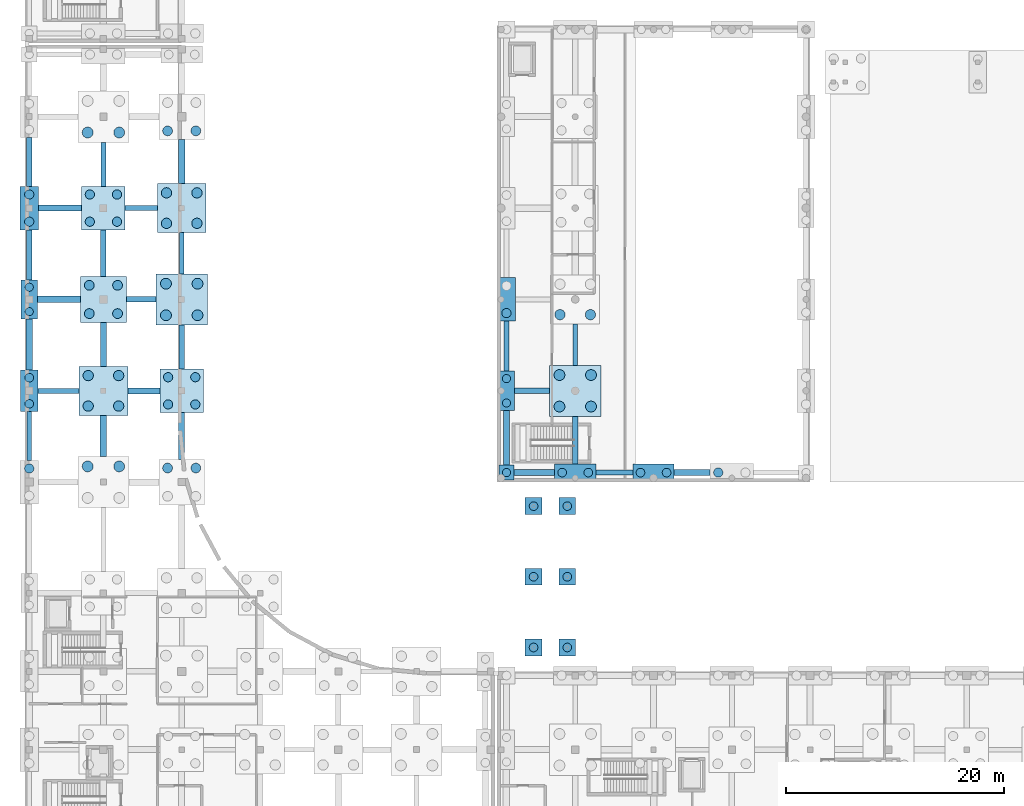
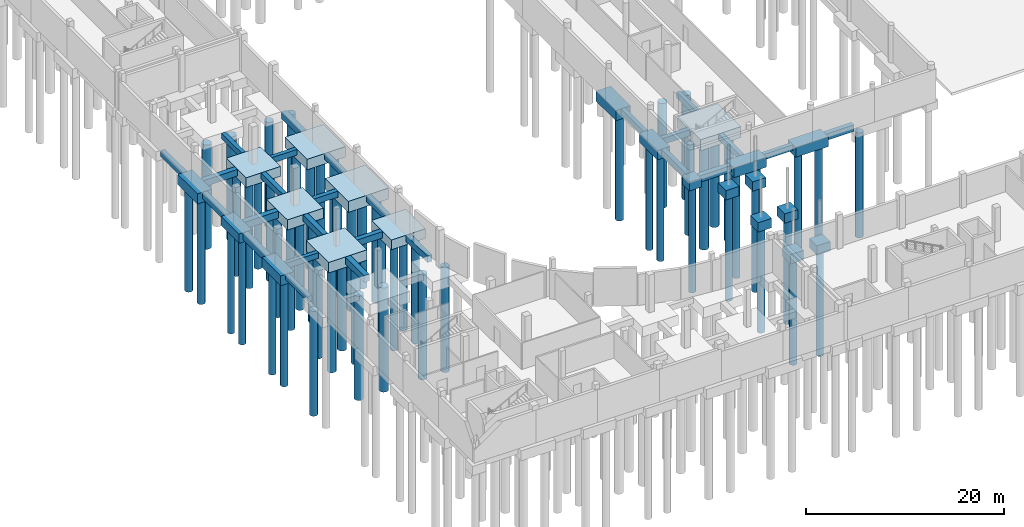
# One storey, part 3 of 41: 60 piles, 47 footings.
"""IFC4 building model written with IfcOpenShell, lengths in metres."""

from ifc_helpers import new_model, si_unit, direction, frame, origin, origin_2d, place, context, subcontext, project, spatial, rectangle, circle, extrude, material, material_profile, profile_set, type_object, element, save


model = new_model("IFC4")

# Units and contexts
model_context = context("Model", 3, precision=1e-05, world=origin(), true_north=direction((0.0, 1.0)))
body_context = subcontext(model_context, "Body", "Model", "MODEL_VIEW")
ifc_project = project(units=[si_unit("LENGTHUNIT", "METRE"), si_unit("AREAUNIT", "SQUARE_METRE"), si_unit("VOLUMEUNIT", "CUBIC_METRE"), si_unit("PLANEANGLEUNIT", "RADIAN"), si_unit("MASSUNIT", "GRAM", prefix="KILO")], contexts=[model_context])

# Site, building, storey
site_placement = place(None, origin())
site = spatial("IfcSite", under=ifc_project, at=site_placement, CompositionType="ELEMENT")
building_placement = place(site_placement, origin())
building = spatial("IfcBuilding", under=site, at=building_placement, Name="Vardoun Plaza Health Centre", CompositionType="ELEMENT")
storey_placement = place(building_placement, frame((0.0, 0.0, -4.5)))
storey = spatial("IfcBuildingStorey", under=building, at=storey_placement, Name="B1", CompositionType="ELEMENT", Elevation=-4.5)

# Footings
ifc_material_1 = material(Name="Concrete C40/50", Category="concrete")
footing_type_1 = type_object("IfcFootingType", Name="PC-01", PredefinedType="PILE_CAP", material=ifc_material_1)
footing_1_placement = place(storey_placement, frame((48.760009765625, 37.179931640625, -1.52001953125), z_axis=(0.0, 0.0, 1.0), x_axis=(1.0, 0.0, 0.0)))
element("IfcFooting", 1, at=footing_1_placement, inside=storey, type_object=footing_type_1, Name="V1 Pile Cap PC-V1-01", PredefinedType="PILE_CAP", context=body_context, shape_type="SweptSolid", body=[
    extrude(rectangle(XDim=1.39990234375, YDim=1.39990234375, at=origin_2d()), origin(), (0.0, 0.0, 1.0), 1.10009765625),
])
ifc_material_2 = material(Name="Concrete C40/50", Category="concrete")
footing_type_2 = type_object("IfcFootingType", Name="PC-02", PredefinedType="PILE_CAP", material=ifc_material_2)
for number, where, z_axis, x_axis, name in (
    (2, (51.25, 21.10009765625, -1.570068359375), (0.0, 0.0, 1.0), (1.0, 0.0, 0.0), "Bridge BR-06 Pier Pile Cap W.1"),
    (3, (51.25, 27.60009765625, -1.570068359375), (0.0, 0.0, 1.0), (1.0, 0.0, 0.0), "Bridge BR-06 Pier Pile Cap W.2"),
    (4, (51.25, 34.10009765625, -1.570068359375), (0.0, 0.0, 1.0), (1.0, 0.0, 0.0), "Bridge BR-06 Pier Pile Cap W.3"),
    (5, (54.35009765625, 21.10009765625, -1.570068359375), (0.0, 0.0, 1.0), (1.0, 0.0, 0.0), "Bridge BR-06 Pier Pile Cap E.1"),
    (6, (54.35009765625, 27.60009765625, -1.570068359375), (0.0, 0.0, 1.0), (1.0, 0.0, 0.0), "Bridge BR-06 Pier Pile Cap E.2"),
    (7, (54.35009765625, 34.10009765625, -1.570068359375), (0.0, 0.0, 1.0), (1.0, 0.0, 0.0), "Bridge BR-06 Pier Pile Cap E.3"),
):
    element("IfcFooting", number, at=place(storey_placement, frame(where, z_axis=z_axis, x_axis=x_axis)), inside=storey, type_object=footing_type_2, Name=name, PredefinedType="PILE_CAP", context=body_context, shape_type="SweptSolid", body=[
        extrude(rectangle(XDim=1.550048828125, YDim=1.550048828125, at=origin_2d()), origin(), (0.0, 0.0, 1.0), 1.14990234375),
    ])
ifc_material_3 = material(Name="Concrete C40/50", Category="concrete")
footing_type_3 = type_object("IfcFootingType", Name="PC-03", PredefinedType="PILE_CAP", material=ifc_material_3)
for number, where, z_axis, x_axis, name in (
    (8, (48.760009765625, 44.699951171875, -1.570068359375), (0.0, 0.0, 1.0), (0.0, 1.0, 0.0), "V1 Pile Cap PC-V1-02"),
    (9, (4.8798828125, 53.10009765625, -1.570068359375), (0.0, 0.0, 1.0), (0.0, 1.0, 0.0), "V2 Pile Cap PC-V2-07"),
):
    element("IfcFooting", number, at=place(storey_placement, frame(where, z_axis=z_axis, x_axis=x_axis)), inside=storey, type_object=footing_type_3, Name=name, PredefinedType="PILE_CAP", context=body_context, shape_type="SweptSolid", body=[
        extrude(rectangle(XDim=3.60009765625, YDim=1.5, at=origin_2d()), origin(), (0.0, 0.0, 1.0), 1.14990234375),
    ])
ifc_material_4 = material(Name="Concrete C40/50", Category="concrete")
footing_type_4 = type_object("IfcFootingType", Name="PC-04", PredefinedType="PILE_CAP", material=ifc_material_4)
for number, where, z_axis, x_axis, name in (
    (10, (55.080078125, 37.179931640625, -1.6201171875), (0.0, 0.0, 1.0), (1.0, 0.0, 0.0), "V1 Pile Cap PC-V1-07"),
    (11, (62.280029296875, 37.179931640625, -1.6201171875), (0.0, 0.0, 1.0), (1.0, 0.0, 0.0), "V1 Pile Cap PC-V1-13"),
    (12, (4.8798828125, 44.699951171875, -1.6201171875), (0.0, 0.0, 1.0), (0.0, 1.0, 0.0), "V2 Pile Cap PC-V2-06"),
):
    element("IfcFooting", number, at=place(storey_placement, frame(where, z_axis=z_axis, x_axis=x_axis)), inside=storey, type_object=footing_type_4, Name=name, PredefinedType="PILE_CAP", context=body_context, shape_type="SweptSolid", body=[
        extrude(rectangle(XDim=3.800048828125, YDim=1.60009765625, at=origin_2d()), origin(), (0.0, 0.0, 1.0), 1.199951171875),
    ])
ifc_material_5 = material(Name="Concrete C40/50", Category="concrete")
footing_type_5 = type_object("IfcFootingType", Name="PC-05", PredefinedType="PILE_CAP", material=ifc_material_5)
for number, where, z_axis, x_axis, name in (
    (13, (48.760009765625, 53.10009765625, -1.669921875), (0.0, 0.0, 1.0), (0.0, 1.0, 0.0), "V1 Pile Cap PC-V1-03"),
    (14, (4.8798828125, 61.5, -1.669921875), (0.0, 0.0, 1.0), (0.0, 1.0, 0.0), "V2 Pile Cap PC-V2-08"),
):
    element("IfcFooting", number, at=place(storey_placement, frame(where, z_axis=z_axis, x_axis=x_axis)), inside=storey, type_object=footing_type_5, Name=name, PredefinedType="PILE_CAP", context=body_context, shape_type="SweptSolid", body=[
        extrude(rectangle(XDim=4.0, YDim=1.699951171875, at=origin_2d()), origin(), (0.0, 0.0, 1.0), 1.25),
    ])
ifc_material_6 = material(Name="Concrete C40/50", Category="concrete")
footing_type_6 = type_object("IfcFootingType", Name="PC-06", PredefinedType="PILE_CAP", material=ifc_material_6)
for number, where, z_axis, x_axis, name in (
    (15, (11.699951171875, 61.5, -1.6201171875), (0.0, 0.0, 1.0), (1.0, 0.0, 0.0), "V2 Pile Cap PC-V2-18"),
    (16, (18.89990234375, 44.699951171875, -1.6201171875), (0.0, 0.0, 1.0), (1.0, 0.0, 0.0), "V2 Pile Cap PC-V2-26"),
):
    element("IfcFooting", number, at=place(storey_placement, frame(where, z_axis=z_axis, x_axis=x_axis)), inside=storey, type_object=footing_type_6, Name=name, PredefinedType="PILE_CAP", context=body_context, shape_type="SweptSolid", body=[
        extrude(rectangle(XDim=4.0, YDim=4.0, at=origin_2d()), origin(), (0.0, 0.0, 1.0), 1.199951171875),
    ])
ifc_material_7 = material(Name="Concrete C40/50", Category="concrete")
footing_type_7 = type_object("IfcFootingType", Name="PC-07", PredefinedType="PILE_CAP", material=ifc_material_7)
footing_2_placement = place(storey_placement, frame((11.699951171875, 53.10009765625, -1.669921875), z_axis=(0.0, 0.0, 1.0), x_axis=(1.0, 0.0, 0.0)))
element("IfcFooting", 17, at=footing_2_placement, inside=storey, type_object=footing_type_7, Name="V2 Pile Cap PC-V2-17", PredefinedType="PILE_CAP", context=body_context, shape_type="SweptSolid", body=[
    extrude(rectangle(XDim=4.199951171875, YDim=4.199951171875, at=origin_2d()), origin(), (0.0, 0.0, 1.0), 1.25),
])
ifc_material_8 = material(Name="Concrete C40/50", Category="concrete")
footing_type_8 = type_object("IfcFootingType", Name="PC-08", PredefinedType="PILE_CAP", material=ifc_material_8)
for number, where, z_axis, x_axis, name in (
    (18, (11.699951171875, 44.699951171875, -1.72021484375), (0.0, 0.0, 1.0), (1.0, 0.0, 0.0), "V2 Pile Cap PC-V2-16"),
    (19, (18.89990234375, 61.5, -1.72021484375), (0.0, 0.0, 1.0), (1.0, 0.0, 0.0), "V2 Pile Cap PC-V2-28"),
):
    element("IfcFooting", number, at=place(storey_placement, frame(where, z_axis=z_axis, x_axis=x_axis)), inside=storey, type_object=footing_type_8, Name=name, PredefinedType="PILE_CAP", context=body_context, shape_type="SweptSolid", body=[
        extrude(rectangle(XDim=4.5, YDim=4.5, at=origin_2d()), origin(), (0.0, 0.0, 1.0), 1.300048828125),
    ])
ifc_material_9 = material(Name="Concrete C40/50", Category="concrete")
footing_type_9 = type_object("IfcFootingType", Name="PC-09", PredefinedType="PILE_CAP", material=ifc_material_9)
for number, where, z_axis, x_axis, name in (
    (20, (55.080078125, 44.699951171875, -1.77001953125), (0.0, 0.0, 1.0), (1.0, 0.0, 0.0), "V1 Pile Cap PC-V1-08"),
    (21, (18.89990234375, 53.10009765625, -1.77001953125), (0.0, 0.0, 1.0), (1.0, 0.0, 0.0), "V2 Pile Cap PC-V2-27"),
):
    element("IfcFooting", number, at=place(storey_placement, frame(where, z_axis=z_axis, x_axis=x_axis)), inside=storey, type_object=footing_type_9, Name=name, PredefinedType="PILE_CAP", context=body_context, shape_type="SweptSolid", body=[
        extrude(rectangle(XDim=4.699951171875, YDim=4.699951171875, at=origin_2d()), origin(), (0.0, 0.0, 1.0), 1.35009765625),
    ])
ifc_material_10 = material(Name="Concrete C40/50", Category="concrete")
ifc_material_profile_1 = material_profile(ifc_material_10, rectangle(XDim=0.449951171875, YDim=0.699951171875, at=origin_2d()), Name="GB 450x700")
ifc_profile_set_1 = profile_set([ifc_material_profile_1], Name="Concrete C40/50")
footing_type_10 = type_object("IfcFootingType", Name="GB-01", PredefinedType="FOOTING_BEAM", material=ifc_profile_set_1)
footing_3_placement = place(storey_placement, frame((56.97998046875, 37.179931640625, -0.77001953125), z_axis=(1.0, 0.0, 0.0), x_axis=(0.0, 1.0, 0.0)))
element("IfcFooting", 22, at=footing_3_placement, inside=storey, type_object=footing_type_10, Name="V1 Ground Tie Beam 7", PredefinedType="FOOTING_BEAM", context=body_context, shape_type="SweptSolid", body=[
    extrude(rectangle(XDim=0.449951171875, YDim=0.699951171875, at=origin_2d()), origin(), (0.0, 0.0, 1.0), 3.39990234375),
])
footing_4_placement = place(storey_placement, frame((55.080078125, 47.050048828125, -0.77001953125), z_axis=(0.0, 1.0, 0.0), x_axis=(-1.0, 0.0, 0.0)))
element("IfcFooting", 23, at=footing_4_placement, inside=storey, type_object=footing_type_10, Name="V1 Ground Tie Beam 19", PredefinedType="FOOTING_BEAM", context=body_context, shape_type="SweptSolid", body=[
    extrude(rectangle(XDim=0.449951171875, YDim=0.699951171875, at=origin_2d()), origin(), (0.0, 0.0, 1.0), 3.800048828125),
])
footing_5_placement = place(storey_placement, frame((5.679931640625, 44.699951171875, -0.77001953125), z_axis=(1.0, 0.0, 0.0), x_axis=(0.0, 1.0, 0.0)))
element("IfcFooting", 24, at=footing_5_placement, inside=storey, type_object=footing_type_10, Name="V2 Ground Tie Beam 6", PredefinedType="FOOTING_BEAM", context=body_context, shape_type="SweptSolid", body=[
    extrude(rectangle(XDim=0.449951171875, YDim=0.699951171875, at=origin_2d()), origin(), (0.0, 0.0, 1.0), 3.77001953125),
])
footing_6_placement = place(storey_placement, frame((13.699951171875, 61.5, -0.77001953125), z_axis=(1.0, 0.0, 0.0), x_axis=(0.0, 1.0, 0.0)))
element("IfcFooting", 25, at=footing_6_placement, inside=storey, type_object=footing_type_10, Name="V2 Ground Tie Beam 18", PredefinedType="FOOTING_BEAM", context=body_context, shape_type="SweptSolid", body=[
    extrude(rectangle(XDim=0.449951171875, YDim=0.699951171875, at=origin_2d()), origin(), (0.0, 0.0, 1.0), 2.949951171875),
])
footing_7_placement = place(storey_placement, frame((4.8798828125, 38.300048828125, -0.77001953125), z_axis=(0.0, 1.0, 0.0), x_axis=(-1.0, 0.0, 0.0)))
element("IfcFooting", 26, at=footing_7_placement, inside=storey, type_object=footing_type_10, Name="V2 Ground Tie Beam 38", PredefinedType="FOOTING_BEAM", context=body_context, shape_type="SweptSolid", body=[
    extrude(rectangle(XDim=0.449951171875, YDim=0.699951171875, at=origin_2d()), origin(), (0.0, 0.0, 1.0), 4.5),
])
footing_8_placement = place(storey_placement, frame((11.699951171875, 63.5, -0.77001953125), z_axis=(0.0, 1.0, 0.0), x_axis=(-1.0, 0.0, 0.0)))
element("IfcFooting", 27, at=footing_8_placement, inside=storey, type_object=footing_type_10, Name="V2 Ground Tie Beam 50", PredefinedType="FOOTING_BEAM", context=body_context, shape_type="SweptSolid", body=[
    extrude(rectangle(XDim=0.449951171875, YDim=0.699951171875, at=origin_2d()), origin(), (0.0, 0.0, 1.0), 4.050048828125),
])
footing_9_placement = place(storey_placement, frame((18.89990234375, 55.449951171875, -0.77001953125), z_axis=(0.0, 1.0, 0.0), x_axis=(-1.0, 0.0, 0.0)))
element("IfcFooting", 28, at=footing_9_placement, inside=storey, type_object=footing_type_10, Name="V2 Ground Tie Beam 58", PredefinedType="FOOTING_BEAM", context=body_context, shape_type="SweptSolid", body=[
    extrude(rectangle(XDim=0.449951171875, YDim=0.699951171875, at=origin_2d()), origin(), (0.0, 0.0, 1.0), 3.800048828125),
])
ifc_material_11 = material(Name="Concrete C40/50", Category="concrete")
ifc_material_profile_2 = material_profile(ifc_material_11, rectangle(XDim=0.5, YDim=0.75, at=origin_2d()), Name="GB 500x750")
ifc_profile_set_2 = profile_set([ifc_material_profile_2], Name="Concrete C40/50")
footing_type_11 = type_object("IfcFootingType", Name="GB-02", PredefinedType="FOOTING_BEAM", material=ifc_profile_set_2)
footing_10_placement = place(storey_placement, frame((49.510009765625, 44.699951171875, -0.794921875), z_axis=(1.0, 0.0, 0.0), x_axis=(0.0, 1.0, 0.0)))
element("IfcFooting", 29, at=footing_10_placement, inside=storey, type_object=footing_type_11, Name="V1 Ground Tie Beam 2", PredefinedType="FOOTING_BEAM", context=body_context, shape_type="SweptSolid", body=[
    extrude(rectangle(XDim=0.5, YDim=0.75, at=origin_2d()), origin(), (0.0, 0.0, 1.0), 3.219970703125),
])
footing_11_placement = place(storey_placement, frame((48.760009765625, 46.5, -0.794921875), z_axis=(0.0, 1.0, 0.0), x_axis=(-1.0, 0.0, 0.0)))
element("IfcFooting", 30, at=footing_11_placement, inside=storey, type_object=footing_type_11, Name="V1 Ground Tie Beam 14", PredefinedType="FOOTING_BEAM", context=body_context, shape_type="SweptSolid", body=[
    extrude(rectangle(XDim=0.5, YDim=0.75, at=origin_2d()), origin(), (0.0, 0.0, 1.0), 4.60009765625),
])
footing_12_placement = place(storey_placement, frame((55.080078125, 37.97998046875, -0.794921875), z_axis=(0.0, 1.0, 0.0), x_axis=(-1.0, 0.0, 0.0)))
element("IfcFooting", 31, at=footing_12_placement, inside=storey, type_object=footing_type_11, Name="V1 Ground Tie Beam 18", PredefinedType="FOOTING_BEAM", context=body_context, shape_type="SweptSolid", body=[
    extrude(rectangle(XDim=0.5, YDim=0.75, at=origin_2d()), origin(), (0.0, 0.0, 1.0), 4.3701171875),
])
footing_13_placement = place(storey_placement, frame((13.800048828125, 53.10009765625, -0.794921875), z_axis=(1.0, 0.0, 0.0), x_axis=(0.0, 1.0, 0.0)))
element("IfcFooting", 32, at=footing_13_placement, inside=storey, type_object=footing_type_11, Name="V2 Ground Tie Beam 17", PredefinedType="FOOTING_BEAM", context=body_context, shape_type="SweptSolid", body=[
    extrude(rectangle(XDim=0.5, YDim=0.75, at=origin_2d()), origin(), (0.0, 0.0, 1.0), 2.75),
])
footing_14_placement = place(storey_placement, frame((4.8798828125, 63.5, -0.794921875), z_axis=(0.0, 1.0, 0.0), x_axis=(-1.0, 0.0, 0.0)))
element("IfcFooting", 33, at=footing_14_placement, inside=storey, type_object=footing_type_11, Name="V2 Ground Tie Beam 41", PredefinedType="FOOTING_BEAM", context=body_context, shape_type="SweptSolid", body=[
    extrude(rectangle(XDim=0.5, YDim=0.75, at=origin_2d()), origin(), (0.0, 0.0, 1.0), 4.5),
])
footing_15_placement = place(storey_placement, frame((11.699951171875, 55.199951171875, -0.794921875), z_axis=(0.0, 1.0, 0.0), x_axis=(-1.0, 0.0, 0.0)))
element("IfcFooting", 34, at=footing_15_placement, inside=storey, type_object=footing_type_11, Name="V2 Ground Tie Beam 49", PredefinedType="FOOTING_BEAM", context=body_context, shape_type="SweptSolid", body=[
    extrude(rectangle(XDim=0.5, YDim=0.75, at=origin_2d()), origin(), (0.0, 0.0, 1.0), 4.300048828125),
])
footing_16_placement = place(storey_placement, frame((18.89990234375, 46.699951171875, -0.794921875), z_axis=(0.0, 1.0, 0.0), x_axis=(-1.0, 0.0, 0.0)))
element("IfcFooting", 35, at=footing_16_placement, inside=storey, type_object=footing_type_11, Name="V2 Ground Tie Beam 57", PredefinedType="FOOTING_BEAM", context=body_context, shape_type="SweptSolid", body=[
    extrude(rectangle(XDim=0.5, YDim=0.75, at=origin_2d()), origin(), (0.0, 0.0, 1.0), 4.050048828125),
])
ifc_material_12 = material(Name="Concrete C40/50", Category="concrete")
ifc_material_profile_3 = material_profile(ifc_material_12, rectangle(XDim=0.550048828125, YDim=0.800048828125, at=origin_2d()), Name="GB 550x800")
ifc_profile_set_3 = profile_set([ifc_material_profile_3], Name="Concrete C40/50")
footing_type_12 = type_object("IfcFootingType", Name="GB-03", PredefinedType="FOOTING_BEAM", material=ifc_profile_set_3)
footing_17_placement = place(storey_placement, frame((49.4599609375, 37.179931640625, -0.820068359375), z_axis=(1.0, 0.0, 0.0), x_axis=(0.0, 1.0, 0.0)))
element("IfcFooting", 36, at=footing_17_placement, inside=storey, type_object=footing_type_12, Name="V1 Ground Tie Beam 1", PredefinedType="FOOTING_BEAM", context=body_context, shape_type="SweptSolid", body=[
    extrude(rectangle(XDim=0.550048828125, YDim=0.800048828125, at=origin_2d()), origin(), (0.0, 0.0, 1.0), 3.719970703125),
])
footing_18_placement = place(storey_placement, frame((64.179931640625, 37.179931640625, -0.820068359375), z_axis=(1.0, 0.0, 0.0), x_axis=(0.0, 1.0, 0.0)))
element("IfcFooting", 37, at=footing_18_placement, inside=storey, type_object=footing_type_12, Name="V1 Ground Tie Beam 9", PredefinedType="FOOTING_BEAM", context=body_context, shape_type="SweptSolid", body=[
    extrude(rectangle(XDim=0.550048828125, YDim=0.800048828125, at=origin_2d()), origin(), (0.0, 0.0, 1.0), 3.300048828125),
])
footing_19_placement = place(storey_placement, frame((48.760009765625, 37.8798828125, -0.820068359375), z_axis=(0.0, 1.0, 0.0), x_axis=(-1.0, 0.0, 0.0)))
element("IfcFooting", 38, at=footing_19_placement, inside=storey, type_object=footing_type_12, Name="V1 Ground Tie Beam 13", PredefinedType="FOOTING_BEAM", context=body_context, shape_type="SweptSolid", body=[
    extrude(rectangle(XDim=0.550048828125, YDim=0.800048828125, at=origin_2d()), origin(), (0.0, 0.0, 1.0), 5.020263671875),
])
footing_20_placement = place(storey_placement, frame((5.72998046875, 61.5, -0.820068359375), z_axis=(1.0, 0.0, 0.0), x_axis=(0.0, 1.0, 0.0)))
element("IfcFooting", 39, at=footing_20_placement, inside=storey, type_object=footing_type_12, Name="V2 Ground Tie Beam 8", PredefinedType="FOOTING_BEAM", context=body_context, shape_type="SweptSolid", body=[
    extrude(rectangle(XDim=0.550048828125, YDim=0.800048828125, at=origin_2d()), origin(), (0.0, 0.0, 1.0), 3.969970703125),
])
footing_21_placement = place(storey_placement, frame((13.949951171875, 44.699951171875, -0.820068359375), z_axis=(1.0, 0.0, 0.0), x_axis=(0.0, 1.0, 0.0)))
element("IfcFooting", 40, at=footing_21_placement, inside=storey, type_object=footing_type_12, Name="V2 Ground Tie Beam 16", PredefinedType="FOOTING_BEAM", context=body_context, shape_type="SweptSolid", body=[
    extrude(rectangle(XDim=0.550048828125, YDim=0.800048828125, at=origin_2d()), origin(), (0.0, 0.0, 1.0), 2.949951171875),
])
footing_22_placement = place(storey_placement, frame((4.8798828125, 54.900146484375, -0.820068359375), z_axis=(0.0, 1.0, 0.0), x_axis=(-1.0, 0.0, 0.0)))
element("IfcFooting", 41, at=footing_22_placement, inside=storey, type_object=footing_type_12, Name="V2 Ground Tie Beam 40", PredefinedType="FOOTING_BEAM", context=body_context, shape_type="SweptSolid", body=[
    extrude(rectangle(XDim=0.550048828125, YDim=0.800048828125, at=origin_2d()), origin(), (0.0, 0.0, 1.0), 4.599853515625),
])
footing_23_placement = place(storey_placement, frame((11.699951171875, 46.949951171875, -0.820068359375), z_axis=(0.0, 1.0, 0.0), x_axis=(-1.0, 0.0, 0.0)))
element("IfcFooting", 42, at=footing_23_placement, inside=storey, type_object=footing_type_12, Name="V2 Ground Tie Beam 48", PredefinedType="FOOTING_BEAM", context=body_context, shape_type="SweptSolid", body=[
    extrude(rectangle(XDim=0.550048828125, YDim=0.800048828125, at=origin_2d()), origin(), (0.0, 0.0, 1.0), 4.050048828125),
])
footing_24_placement = place(storey_placement, frame((18.89990234375, 38.400146484375, -0.820068359375), z_axis=(0.0, 1.0, 0.0), x_axis=(-1.0, 0.0, 0.0)))
element("IfcFooting", 43, at=footing_24_placement, inside=storey, type_object=footing_type_12, Name="V2 Ground Tie Beam 56", PredefinedType="FOOTING_BEAM", context=body_context, shape_type="SweptSolid", body=[
    extrude(rectangle(XDim=0.550048828125, YDim=0.800048828125, at=origin_2d()), origin(), (0.0, 0.0, 1.0), 4.2998046875),
])
ifc_material_13 = material(Name="Concrete C40/50", Category="concrete")
ifc_material_profile_4 = material_profile(ifc_material_13, rectangle(XDim=0.60009765625, YDim=0.85009765625, at=origin_2d()), Name="GB 600x850")
ifc_profile_set_4 = profile_set([ifc_material_profile_4], Name="Concrete C40/50")
footing_type_13 = type_object("IfcFootingType", Name="GB-04", PredefinedType="FOOTING_BEAM", material=ifc_profile_set_4)
footing_25_placement = place(storey_placement, frame((5.6298828125, 53.10009765625, -0.844970703125), z_axis=(1.0, 0.0, 0.0), x_axis=(0.0, 1.0, 0.0)))
element("IfcFooting", 44, at=footing_25_placement, inside=storey, type_object=footing_type_13, Name="V2 Ground Tie Beam 7", PredefinedType="FOOTING_BEAM", context=body_context, shape_type="SweptSolid", body=[
    extrude(rectangle(XDim=0.60009765625, YDim=0.85009765625, at=origin_2d()), origin(), (0.0, 0.0, 1.0), 3.97021484375),
])
footing_26_placement = place(storey_placement, frame((4.8798828125, 46.60009765625, -0.844970703125), z_axis=(0.0, 1.0, 0.0), x_axis=(-1.0, 0.0, 0.0)))
element("IfcFooting", 45, at=footing_26_placement, inside=storey, type_object=footing_type_13, Name="V2 Ground Tie Beam 39", PredefinedType="FOOTING_BEAM", context=body_context, shape_type="SweptSolid", body=[
    extrude(rectangle(XDim=0.60009765625, YDim=0.85009765625, at=origin_2d()), origin(), (0.0, 0.0, 1.0), 4.699951171875),
])
footing_27_placement = place(storey_placement, frame((11.699951171875, 38.650146484375, -0.844970703125), z_axis=(0.0, 1.0, 0.0), x_axis=(-1.0, 0.0, 0.0)))
element("IfcFooting", 46, at=footing_27_placement, inside=storey, type_object=footing_type_13, Name="V2 Ground Tie Beam 47", PredefinedType="FOOTING_BEAM", context=body_context, shape_type="SweptSolid", body=[
    extrude(rectangle(XDim=0.60009765625, YDim=0.85009765625, at=origin_2d()), origin(), (0.0, 0.0, 1.0), 3.7998046875),
])
footing_28_placement = place(storey_placement, frame((18.89990234375, 63.75, -0.844970703125), z_axis=(0.0, 1.0, 0.0), x_axis=(-1.0, 0.0, 0.0)))
element("IfcFooting", 47, at=footing_28_placement, inside=storey, type_object=footing_type_13, Name="V2 Ground Tie Beam 59", PredefinedType="FOOTING_BEAM", context=body_context, shape_type="SweptSolid", body=[
    extrude(rectangle(XDim=0.60009765625, YDim=0.85009765625, at=origin_2d()), origin(), (0.0, 0.0, 1.0), 4.050048828125),
])

# Piles
ifc_material_14 = material(Name="Concrete C40/50", Category="concrete")
ifc_material_profile_5 = material_profile(ifc_material_14, circle(Radius=0.5, at=origin_2d()), Name="PILE D1000")
ifc_profile_set_5 = profile_set([ifc_material_profile_5], Name="Concrete C40/50")
pile_type_1 = type_object("IfcPileType", Name="PL-06", PredefinedType="BORED", material=ifc_profile_set_5)
for number, where, z_axis, x_axis, name in (
    (48, (53.6298828125, 43.25, -1.669921875), (0.0, 0.0, -1.0), (1.0, 0.0, 0.0), "V1 Bored Pile PL-V1-08A"),
    (49, (56.530029296875, 43.25, -1.669921875), (0.0, 0.0, -1.0), (1.0, 0.0, 0.0), "V1 Bored Pile PL-V1-08B"),
    (50, (53.6298828125, 46.14990234375, -1.669921875), (0.0, 0.0, -1.0), (1.0, 0.0, 0.0), "V1 Bored Pile PL-V1-08C"),
    (51, (56.530029296875, 46.14990234375, -1.669921875), (0.0, 0.0, -1.0), (1.0, 0.0, 0.0), "V1 Bored Pile PL-V1-08D"),
    (52, (10.25, 37.75, -1.669921875), (0.0, 0.0, -1.0), (1.0, 0.0, 0.0), "V2 Bored Pile PL-V2-15C"),
    (53, (13.14990234375, 37.75, -1.669921875), (0.0, 0.0, -1.0), (1.0, 0.0, 0.0), "V2 Bored Pile PL-V2-15D"),
    (54, (10.25, 68.449951171875, -1.669921875), (0.0, 0.0, -1.0), (1.0, 0.0, 0.0), "V2 Bored Pile PL-V2-19A"),
    (55, (13.14990234375, 68.449951171875, -1.669921875), (0.0, 0.0, -1.0), (1.0, 0.0, 0.0), "V2 Bored Pile PL-V2-19B"),
    (56, (17.449951171875, 51.64990234375, -1.669921875), (0.0, 0.0, -1.0), (1.0, 0.0, 0.0), "V2 Bored Pile PL-V2-27A"),
    (57, (20.35009765625, 51.64990234375, -1.669921875), (0.0, 0.0, -1.0), (1.0, 0.0, 0.0), "V2 Bored Pile PL-V2-27B"),
    (58, (17.449951171875, 54.550048828125, -1.669921875), (0.0, 0.0, -1.0), (1.0, 0.0, 0.0), "V2 Bored Pile PL-V2-27C"),
    (59, (20.35009765625, 54.550048828125, -1.669921875), (0.0, 0.0, -1.0), (1.0, 0.0, 0.0), "V2 Bored Pile PL-V2-27D"),
):
    element("IfcPile", number, at=place(storey_placement, frame(where, z_axis=z_axis, x_axis=x_axis)), inside=storey, type_object=pile_type_1, Name=name, PredefinedType="BORED", context=body_context, shape_type="SweptSolid", body=[
        extrude(circle(Radius=0.5, at=origin_2d()), origin(), (0.0, 0.0, 1.0), 12.830078125),
    ])
ifc_material_15 = material(Name="Concrete C40/50", Category="concrete")
ifc_material_profile_6 = material_profile(ifc_material_15, circle(Radius=0.375, at=origin_2d()), Name="PILE D750")
ifc_profile_set_6 = profile_set([ifc_material_profile_6], Name="Concrete C40/50")
pile_type_2 = type_object("IfcPileType", Name="PL-01", PredefinedType="BORED", material=ifc_profile_set_6)
pile_placement = place(storey_placement, frame((48.760009765625, 37.179931640625, -1.419921875), z_axis=(0.0, 0.0, -1.0), x_axis=(1.0, 0.0, 0.0)))
element("IfcPile", 60, at=pile_placement, inside=storey, type_object=pile_type_2, Name="V1 Bored Pile PL-V1-01A", PredefinedType="BORED", context=body_context, shape_type="SweptSolid", body=[
    extrude(circle(Radius=0.375, at=origin_2d()), origin(), (0.0, 0.0, 1.0), 13.080078125),
])
for number, where, z_axis, x_axis, name in (
    (61, (48.760009765625, 43.580078125, -1.469970703125), (0.0, 0.0, -1.0), (1.0, 0.0, 0.0), "V1 Bored Pile PL-V1-02A"),
    (62, (48.760009765625, 45.820068359375, -1.469970703125), (0.0, 0.0, -1.0), (1.0, 0.0, 0.0), "V1 Bored Pile PL-V1-02B"),
    (63, (4.8798828125, 51.97998046875, -1.469970703125), (0.0, 0.0, -1.0), (1.0, 0.0, 0.0), "V2 Bored Pile PL-V2-07A"),
    (64, (4.8798828125, 54.219970703125, -1.469970703125), (0.0, 0.0, -1.0), (1.0, 0.0, 0.0), "V2 Bored Pile PL-V2-07B"),
):
    element("IfcPile", number, at=place(storey_placement, frame(where, z_axis=z_axis, x_axis=x_axis)), inside=storey, type_object=pile_type_2, Name=name, PredefinedType="BORED", context=body_context, shape_type="SweptSolid", body=[
        extrude(circle(Radius=0.375, at=origin_2d()), origin(), (0.0, 0.0, 1.0), 13.030029296875),
    ])
ifc_material_16 = material(Name="Concrete C40/50", Category="concrete")
ifc_material_profile_7 = material_profile(ifc_material_16, circle(Radius=0.39990234375, at=origin_2d()), Name="PILE D800")
ifc_profile_set_7 = profile_set([ifc_material_profile_7], Name="Concrete C40/50")
pile_type_3 = type_object("IfcPileType", Name="PL-02", PredefinedType="BORED", material=ifc_profile_set_7)
for number, where, z_axis, x_axis, name in (
    (65, (53.8798828125, 37.179931640625, -1.52001953125), (0.0, 0.0, -1.0), (1.0, 0.0, 0.0), "V1 Bored Pile PL-V1-07A"),
    (66, (56.280029296875, 37.179931640625, -1.52001953125), (0.0, 0.0, -1.0), (1.0, 0.0, 0.0), "V1 Bored Pile PL-V1-07B"),
    (67, (61.080078125, 37.179931640625, -1.52001953125), (0.0, 0.0, -1.0), (1.0, 0.0, 0.0), "V1 Bored Pile PL-V1-13A"),
    (68, (63.47998046875, 37.179931640625, -1.52001953125), (0.0, 0.0, -1.0), (1.0, 0.0, 0.0), "V1 Bored Pile PL-V1-13B"),
    (69, (4.8798828125, 43.5, -1.52001953125), (0.0, 0.0, -1.0), (1.0, 0.0, 0.0), "V2 Bored Pile PL-V2-06A"),
    (70, (4.8798828125, 45.89990234375, -1.52001953125), (0.0, 0.0, -1.0), (1.0, 0.0, 0.0), "V2 Bored Pile PL-V2-06B"),
):
    element("IfcPile", number, at=place(storey_placement, frame(where, z_axis=z_axis, x_axis=x_axis)), inside=storey, type_object=pile_type_3, Name=name, PredefinedType="BORED", context=body_context, shape_type="SweptSolid", body=[
        extrude(circle(Radius=0.39990234375, at=origin_2d()), origin(), (0.0, 0.0, 1.0), 12.97998046875),
    ])
for number, where, z_axis, x_axis, name in (
    (71, (51.25, 21.10009765625, -1.469970703125), (0.0, 0.0, -1.0), (1.0, 0.0, 0.0), "Bridge BR-06 Pier Bored Pile W.1"),
    (72, (51.25, 27.60009765625, -1.469970703125), (0.0, 0.0, -1.0), (1.0, 0.0, 0.0), "Bridge BR-06 Pier Bored Pile W.2"),
    (73, (51.25, 34.10009765625, -1.469970703125), (0.0, 0.0, -1.0), (1.0, 0.0, 0.0), "Bridge BR-06 Pier Bored Pile W.3"),
    (74, (54.35009765625, 21.10009765625, -1.469970703125), (0.0, 0.0, -1.0), (1.0, 0.0, 0.0), "Bridge BR-06 Pier Bored Pile E.1"),
    (75, (54.35009765625, 27.60009765625, -1.469970703125), (0.0, 0.0, -1.0), (1.0, 0.0, 0.0), "Bridge BR-06 Pier Bored Pile E.2"),
    (76, (54.35009765625, 34.10009765625, -1.469970703125), (0.0, 0.0, -1.0), (1.0, 0.0, 0.0), "Bridge BR-06 Pier Bored Pile E.3"),
):
    element("IfcPile", number, at=place(storey_placement, frame(where, z_axis=z_axis, x_axis=x_axis)), inside=storey, type_object=pile_type_3, Name=name, PredefinedType="BORED", context=body_context, shape_type="SweptSolid", body=[
        extrude(circle(Radius=0.39990234375, at=origin_2d()), origin(), (0.0, 0.0, 1.0), 13.030029296875),
    ])
ifc_material_17 = material(Name="Concrete C40/50", Category="concrete")
ifc_material_profile_8 = material_profile(ifc_material_17, circle(Radius=0.425048828125, at=origin_2d()), Name="PILE D850")
ifc_profile_set_8 = profile_set([ifc_material_profile_8], Name="Concrete C40/50")
pile_type_4 = type_object("IfcPileType", Name="PL-03", PredefinedType="BORED", material=ifc_profile_set_8)
for number, where, z_axis, x_axis, name in (
    (77, (48.760009765625, 51.85009765625, -1.570068359375), (0.0, 0.0, -1.0), (1.0, 0.0, 0.0), "V1 Bored Pile PL-V1-03A"),
    (78, (68.22998046875, 37.179931640625, -1.570068359375), (0.0, 0.0, -1.0), (1.0, 0.0, 0.0), "V1 Bored Pile PL-V1-15A"),
    (79, (4.8798828125, 37.550048828125, -1.570068359375), (0.0, 0.0, -1.0), (1.0, 0.0, 0.0), "V2 Bored Pile PL-V2-05B"),
    (80, (4.8798828125, 60.25, -1.570068359375), (0.0, 0.0, -1.0), (1.0, 0.0, 0.0), "V2 Bored Pile PL-V2-08A"),
    (81, (4.8798828125, 62.75, -1.570068359375), (0.0, 0.0, -1.0), (1.0, 0.0, 0.0), "V2 Bored Pile PL-V2-08B"),
):
    element("IfcPile", number, at=place(storey_placement, frame(where, z_axis=z_axis, x_axis=x_axis)), inside=storey, type_object=pile_type_4, Name=name, PredefinedType="BORED", context=body_context, shape_type="SweptSolid", body=[
        extrude(circle(Radius=0.425048828125, at=origin_2d()), origin(), (0.0, 0.0, 1.0), 12.929931640625),
    ])
for number, where, z_axis, x_axis, name in (
    (82, (10.449951171875, 60.25, -1.52001953125), (0.0, 0.0, -1.0), (1.0, 0.0, 0.0), "V2 Bored Pile PL-V2-18A"),
    (83, (12.949951171875, 60.25, -1.52001953125), (0.0, 0.0, -1.0), (1.0, 0.0, 0.0), "V2 Bored Pile PL-V2-18B"),
    (84, (10.449951171875, 62.75, -1.52001953125), (0.0, 0.0, -1.0), (1.0, 0.0, 0.0), "V2 Bored Pile PL-V2-18C"),
    (85, (12.949951171875, 62.75, -1.52001953125), (0.0, 0.0, -1.0), (1.0, 0.0, 0.0), "V2 Bored Pile PL-V2-18D"),
    (86, (17.64990234375, 43.449951171875, -1.52001953125), (0.0, 0.0, -1.0), (1.0, 0.0, 0.0), "V2 Bored Pile PL-V2-26A"),
    (87, (20.14990234375, 43.449951171875, -1.52001953125), (0.0, 0.0, -1.0), (1.0, 0.0, 0.0), "V2 Bored Pile PL-V2-26B"),
    (88, (17.64990234375, 45.949951171875, -1.52001953125), (0.0, 0.0, -1.0), (1.0, 0.0, 0.0), "V2 Bored Pile PL-V2-26C"),
    (89, (20.14990234375, 45.949951171875, -1.52001953125), (0.0, 0.0, -1.0), (1.0, 0.0, 0.0), "V2 Bored Pile PL-V2-26D"),
):
    element("IfcPile", number, at=place(storey_placement, frame(where, z_axis=z_axis, x_axis=x_axis)), inside=storey, type_object=pile_type_4, Name=name, PredefinedType="BORED", context=body_context, shape_type="SweptSolid", body=[
        extrude(circle(Radius=0.425048828125, at=origin_2d()), origin(), (0.0, 0.0, 1.0), 12.97998046875),
    ])
ifc_material_18 = material(Name="Concrete C40/50", Category="concrete")
ifc_material_profile_9 = material_profile(ifc_material_18, circle(Radius=0.449951171875, at=origin_2d()), Name="PILE D900")
ifc_profile_set_9 = profile_set([ifc_material_profile_9], Name="Concrete C40/50")
pile_type_5 = type_object("IfcPileType", Name="PL-04", PredefinedType="BORED", material=ifc_profile_set_9)
for number, where, z_axis, x_axis, name in (
    (90, (10.39990234375, 51.800048828125, -1.570068359375), (0.0, 0.0, -1.0), (1.0, 0.0, 0.0), "V2 Bored Pile PL-V2-17A"),
    (91, (13.0, 51.800048828125, -1.570068359375), (0.0, 0.0, -1.0), (1.0, 0.0, 0.0), "V2 Bored Pile PL-V2-17B"),
    (92, (10.39990234375, 54.39990234375, -1.570068359375), (0.0, 0.0, -1.0), (1.0, 0.0, 0.0), "V2 Bored Pile PL-V2-17C"),
    (93, (13.0, 54.39990234375, -1.570068359375), (0.0, 0.0, -1.0), (1.0, 0.0, 0.0), "V2 Bored Pile PL-V2-17D"),
    (94, (17.60009765625, 37.60009765625, -1.570068359375), (0.0, 0.0, -1.0), (1.0, 0.0, 0.0), "V2 Bored Pile PL-V2-25C"),
    (95, (20.199951171875, 37.60009765625, -1.570068359375), (0.0, 0.0, -1.0), (1.0, 0.0, 0.0), "V2 Bored Pile PL-V2-25D"),
    (96, (17.60009765625, 68.60009765625, -1.570068359375), (0.0, 0.0, -1.0), (1.0, 0.0, 0.0), "V2 Bored Pile PL-V2-29A"),
    (97, (20.199951171875, 68.60009765625, -1.570068359375), (0.0, 0.0, -1.0), (1.0, 0.0, 0.0), "V2 Bored Pile PL-V2-29B"),
):
    element("IfcPile", number, at=place(storey_placement, frame(where, z_axis=z_axis, x_axis=x_axis)), inside=storey, type_object=pile_type_5, Name=name, PredefinedType="BORED", context=body_context, shape_type="SweptSolid", body=[
        extrude(circle(Radius=0.449951171875, at=origin_2d()), origin(), (0.0, 0.0, 1.0), 12.929931640625),
    ])
ifc_material_19 = material(Name="Concrete C40/50", Category="concrete")
ifc_material_profile_10 = material_profile(ifc_material_19, circle(Radius=0.47509765625, at=origin_2d()), Name="PILE D950")
ifc_profile_set_10 = profile_set([ifc_material_profile_10], Name="Concrete C40/50")
pile_type_6 = type_object("IfcPileType", Name="PL-05", PredefinedType="BORED", material=ifc_profile_set_10)
for number, where, z_axis, x_axis, name in (
    (98, (53.679931640625, 51.699951171875, -1.6201171875), (0.0, 0.0, -1.0), (1.0, 0.0, 0.0), "V1 Bored Pile PL-V1-09A"),
    (99, (56.47998046875, 51.699951171875, -1.6201171875), (0.0, 0.0, -1.0), (1.0, 0.0, 0.0), "V1 Bored Pile PL-V1-09B"),
    (100, (10.300048828125, 43.300048828125, -1.6201171875), (0.0, 0.0, -1.0), (1.0, 0.0, 0.0), "V2 Bored Pile PL-V2-16A"),
    (101, (13.10009765625, 43.300048828125, -1.6201171875), (0.0, 0.0, -1.0), (1.0, 0.0, 0.0), "V2 Bored Pile PL-V2-16B"),
    (102, (10.300048828125, 46.10009765625, -1.6201171875), (0.0, 0.0, -1.0), (1.0, 0.0, 0.0), "V2 Bored Pile PL-V2-16C"),
    (103, (13.10009765625, 46.10009765625, -1.6201171875), (0.0, 0.0, -1.0), (1.0, 0.0, 0.0), "V2 Bored Pile PL-V2-16D"),
    (104, (17.5, 60.10009765625, -1.6201171875), (0.0, 0.0, -1.0), (1.0, 0.0, 0.0), "V2 Bored Pile PL-V2-28A"),
    (105, (20.300048828125, 60.10009765625, -1.6201171875), (0.0, 0.0, -1.0), (1.0, 0.0, 0.0), "V2 Bored Pile PL-V2-28B"),
    (106, (17.5, 62.89990234375, -1.6201171875), (0.0, 0.0, -1.0), (1.0, 0.0, 0.0), "V2 Bored Pile PL-V2-28C"),
    (107, (20.300048828125, 62.89990234375, -1.6201171875), (0.0, 0.0, -1.0), (1.0, 0.0, 0.0), "V2 Bored Pile PL-V2-28D"),
):
    element("IfcPile", number, at=place(storey_placement, frame(where, z_axis=z_axis, x_axis=x_axis)), inside=storey, type_object=pile_type_6, Name=name, PredefinedType="BORED", context=body_context, shape_type="SweptSolid", body=[
        extrude(circle(Radius=0.47509765625, at=origin_2d()), origin(), (0.0, 0.0, 1.0), 12.8798828125),
    ])

save(model, "model.ifc")
